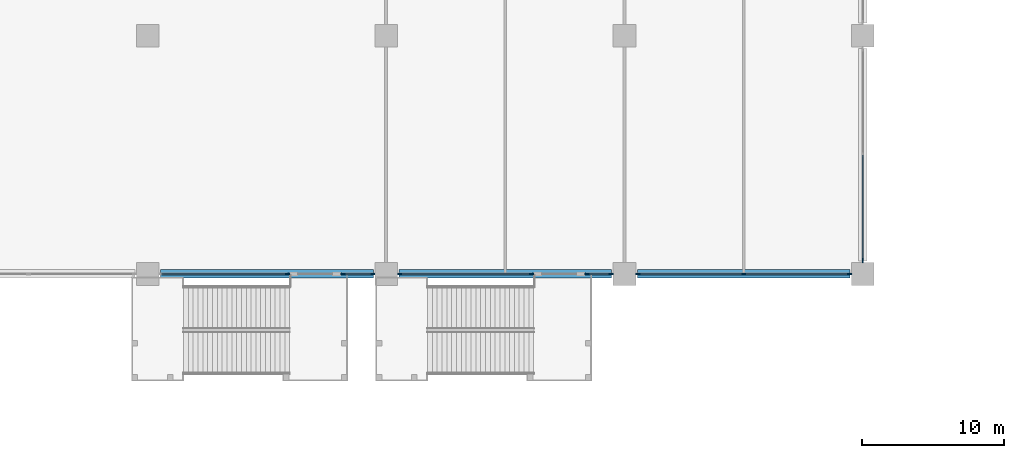
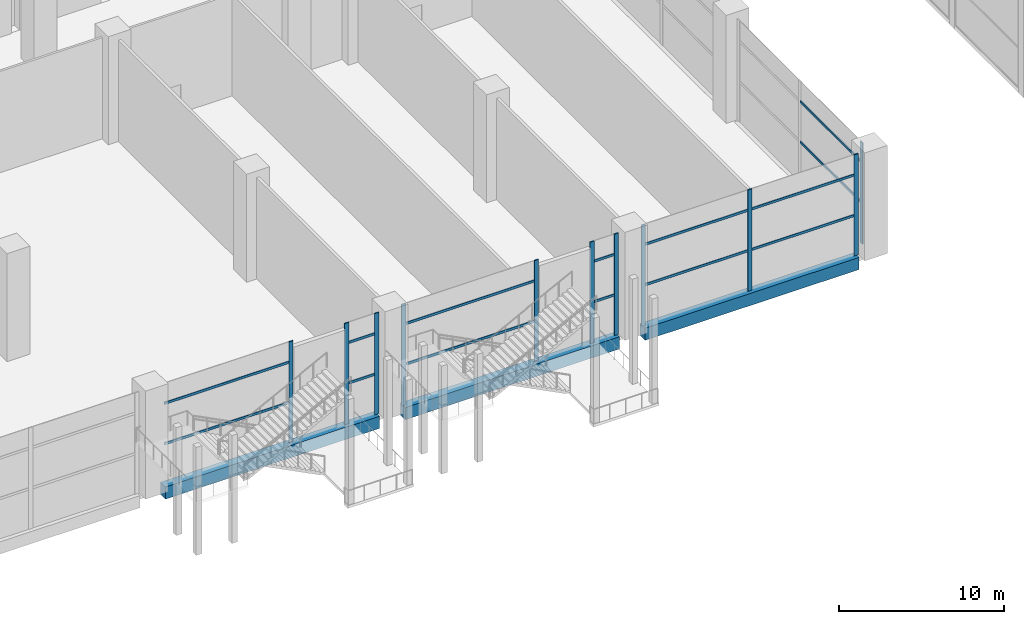
# One storey, part 7 of 52: 25 members, 3 beams, 6 elements without a shape of their own.
"""IFC4 building model written with IfcOpenShell, lengths in metres."""

from ifc_helpers import new_model, si_unit, direction, frame, origin, origin_2d, place, context, subcontext, project, spatial, rectangle, extrude, material, material_profile, profile_set, type_object, element, aggregate, save


model = new_model("IFC4")

# Units and contexts
model_context = context("Model", 3, precision=1e-05, world=origin(), true_north=direction((0.0, 1.0)))
body_context = subcontext(model_context, "Body", "Model", "MODEL_VIEW")
ifc_project = project(units=[si_unit("LENGTHUNIT", "METRE"), si_unit("AREAUNIT", "SQUARE_METRE"), si_unit("VOLUMEUNIT", "CUBIC_METRE"), si_unit("PLANEANGLEUNIT", "RADIAN"), si_unit("MASSUNIT", "GRAM", prefix="KILO")], contexts=[model_context])

# Site, building, storey
site_placement = place(None, origin())
site = spatial("IfcSite", under=ifc_project, at=site_placement, CompositionType="ELEMENT")
building_placement = place(site_placement, origin())
building = spatial("IfcBuilding", under=site, at=building_placement, Name="Candeia Pilgrim Tower and Theatre", CompositionType="ELEMENT")
storey_placement = place(building_placement, frame((0.0, 0.0, 9.0)))
storey = spatial("IfcBuildingStorey", under=building, at=storey_placement, Name="L01", CompositionType="ELEMENT", Elevation=9.0)

# Curtain wall, member
ifc_material_1 = material(Name="Aluminium framed podium glazing", Category="aluminium")
curtain_wall_type = type_object("IfcCurtainWallType", Name="CW-P curtain wall", PredefinedType="NOTDEFINED", material=ifc_material_1)
curtain_wall_1_placement = place(storey_placement, origin())
curtain_wall_1 = element("IfcCurtainWall", 1, at=curtain_wall_1_placement, inside=storey, type_object=curtain_wall_type, Name="Curtain wall CW-P L01.260", PredefinedType="NOTDEFINED")
ifc_material_2 = material(Name="Anodised aluminium", Category="aluminium")
ifc_material_profile_1 = material_profile(ifc_material_2, rectangle(XDim=0.080078125, YDim=0.300048828125, at=origin_2d()))
ifc_profile_set_1 = profile_set([ifc_material_profile_1], Name="Anodised aluminium")
member_type_1 = type_object("IfcMemberType", Name="CW-P mullion 80x300", PredefinedType="MULLION", material=ifc_profile_set_1)
member_1_placement = place(storey_placement, frame((159.60009765625, 65.35009765625, 0.0), z_axis=(0.0, 0.0, 1.0), x_axis=(1.0, 0.0, 0.0)))
member_1 = element("IfcMember", 2, at=member_1_placement, type_object=member_type_1, Name="CW-P mullion 3", PredefinedType="MULLION", context=body_context, shape_type="SweptSolid", body=[
    extrude(rectangle(XDim=0.080078125, YDim=0.300048828125, at=origin_2d()), origin(), (0.0, 0.0, 1.0), 7.5),
])

# Curtain wall, members
curtain_wall_2_placement = place(storey_placement, origin())
curtain_wall_2 = element("IfcCurtainWall", 3, at=curtain_wall_2_placement, inside=storey, type_object=curtain_wall_type, Name="Curtain wall CW-P L01.300", PredefinedType="NOTDEFINED")
member_2_placement = place(storey_placement, frame((158.64990234375, 64.39990234375, 0.0), z_axis=(0.0, 0.0, 1.0), x_axis=(0.0, -1.0, 0.0)))
member_2 = element("IfcMember", 4, at=member_2_placement, type_object=member_type_1, Name="CW-P mullion 1", PredefinedType="MULLION", context=body_context, shape_type="SweptSolid", body=[
    extrude(rectangle(XDim=0.080078125, YDim=0.300048828125, at=origin_2d()), origin(), (0.0, 0.0, 1.0), 7.5),
])
member_3_placement = place(storey_placement, frame((151.199951171875, 64.39990234375, 0.0), z_axis=(0.0, 0.0, 1.0), x_axis=(0.0, -1.0, 0.0)))
member_3 = element("IfcMember", 5, at=member_3_placement, type_object=member_type_1, Name="CW-P mullion 2", PredefinedType="MULLION", context=body_context, shape_type="SweptSolid", body=[
    extrude(rectangle(XDim=0.080078125, YDim=0.300048828125, at=origin_2d()), origin(), (0.0, 0.0, 1.0), 7.5),
])
member_4_placement = place(storey_placement, frame((143.75, 64.39990234375, 0.0), z_axis=(0.0, 0.0, 1.0), x_axis=(0.0, -1.0, 0.0)))
member_4 = element("IfcMember", 6, at=member_4_placement, type_object=member_type_1, Name="CW-P mullion 3", PredefinedType="MULLION", context=body_context, shape_type="SweptSolid", body=[
    extrude(rectangle(XDim=0.080078125, YDim=0.300048828125, at=origin_2d()), origin(), (0.0, 0.0, 1.0), 7.5),
])

curtain_wall_3_placement = place(storey_placement, origin())
curtain_wall_3 = element("IfcCurtainWall", 7, at=curtain_wall_3_placement, inside=storey, type_object=curtain_wall_type, Name="Curtain wall CW-P L01.310", PredefinedType="NOTDEFINED")
member_5_placement = place(storey_placement, frame((141.85009765625, 64.39990234375, 0.0), z_axis=(0.0, 0.0, 1.0), x_axis=(0.0, -1.0, 0.0)))
member_5 = element("IfcMember", 8, at=member_5_placement, type_object=member_type_1, Name="CW-P mullion 1", PredefinedType="MULLION", context=body_context, shape_type="SweptSolid", body=[
    extrude(rectangle(XDim=0.080078125, YDim=0.300048828125, at=origin_2d()), origin(), (0.0, 0.0, 1.0), 7.5),
])
member_6_placement = place(storey_placement, frame((140.14990234375, 64.39990234375, 0.0), z_axis=(0.0, 0.0, 1.0), x_axis=(0.0, -1.0, 0.0)))
member_6 = element("IfcMember", 9, at=member_6_placement, type_object=member_type_1, Name="CW-P mullion 2", PredefinedType="MULLION", context=body_context, shape_type="SweptSolid", body=[
    extrude(rectangle(XDim=0.080078125, YDim=0.300048828125, at=origin_2d()), origin(), (0.0, 0.0, 1.0), 7.5),
])

curtain_wall_4_placement = place(storey_placement, origin())
curtain_wall_4 = element("IfcCurtainWall", 10, at=curtain_wall_4_placement, inside=storey, type_object=curtain_wall_type, Name="Curtain wall CW-P L01.311", PredefinedType="NOTDEFINED")
member_7_placement = place(storey_placement, frame((136.25, 64.39990234375, 0.0), z_axis=(0.0, 0.0, 1.0), x_axis=(0.0, -1.0, 0.0)))
member_7 = element("IfcMember", 11, at=member_7_placement, type_object=member_type_1, Name="CW-P mullion 1", PredefinedType="MULLION", context=body_context, shape_type="SweptSolid", body=[
    extrude(rectangle(XDim=0.080078125, YDim=0.300048828125, at=origin_2d()), origin(), (0.0, 0.0, 1.0), 7.5),
])
member_8_placement = place(storey_placement, frame((126.949951171875, 64.39990234375, 0.0), z_axis=(0.0, 0.0, 1.0), x_axis=(0.0, -1.0, 0.0)))
member_8 = element("IfcMember", 12, at=member_8_placement, type_object=member_type_1, Name="CW-P mullion 2", PredefinedType="MULLION", context=body_context, shape_type="SweptSolid", body=[
    extrude(rectangle(XDim=0.080078125, YDim=0.300048828125, at=origin_2d()), origin(), (0.0, 0.0, 1.0), 7.5),
])

curtain_wall_5_placement = place(storey_placement, origin())
curtain_wall_5 = element("IfcCurtainWall", 13, at=curtain_wall_5_placement, inside=storey, type_object=curtain_wall_type, Name="Curtain wall CW-P L01.320", PredefinedType="NOTDEFINED")
member_9_placement = place(storey_placement, frame((125.050048828125, 64.39990234375, 0.0), z_axis=(0.0, 0.0, 1.0), x_axis=(0.0, -1.0, 0.0)))
member_9 = element("IfcMember", 14, at=member_9_placement, type_object=member_type_1, Name="CW-P mullion 1", PredefinedType="MULLION", context=body_context, shape_type="SweptSolid", body=[
    extrude(rectangle(XDim=0.080078125, YDim=0.300048828125, at=origin_2d()), origin(), (0.0, 0.0, 1.0), 7.5),
])
member_10_placement = place(storey_placement, frame((122.949951171875, 64.39990234375, 0.0), z_axis=(0.0, 0.0, 1.0), x_axis=(0.0, -1.0, 0.0)))
member_10 = element("IfcMember", 15, at=member_10_placement, type_object=member_type_1, Name="CW-P mullion 2", PredefinedType="MULLION", context=body_context, shape_type="SweptSolid", body=[
    extrude(rectangle(XDim=0.080078125, YDim=0.300048828125, at=origin_2d()), origin(), (0.0, 0.0, 1.0), 7.5),
])

# Curtain wall, member
curtain_wall_6_placement = place(storey_placement, origin())
curtain_wall_6 = element("IfcCurtainWall", 16, at=curtain_wall_6_placement, inside=storey, type_object=curtain_wall_type, Name="Curtain wall CW-P L01.321", PredefinedType="NOTDEFINED")
member_11_placement = place(storey_placement, frame((119.050048828125, 64.39990234375, 0.0), z_axis=(0.0, 0.0, 1.0), x_axis=(0.0, -1.0, 0.0)))
member_11 = element("IfcMember", 17, at=member_11_placement, type_object=member_type_1, Name="CW-P mullion 1", PredefinedType="MULLION", context=body_context, shape_type="SweptSolid", body=[
    extrude(rectangle(XDim=0.080078125, YDim=0.300048828125, at=origin_2d()), origin(), (0.0, 0.0, 1.0), 7.5),
])

# Member
ifc_material_profile_2 = material_profile(ifc_material_2, rectangle(XDim=0.080078125, YDim=0.179931640625, at=origin_2d()))
ifc_profile_set_2 = profile_set([ifc_material_profile_2], Name="Anodised aluminium")
member_type_2 = type_object("IfcMemberType", Name="CW-P transom 80x180", PredefinedType="USERDEFINED", material=ifc_profile_set_2)
member_12_placement = place(storey_placement, frame((159.60009765625, 72.760009765625, 3.0), z_axis=(0.0, -1.0, 0.0), x_axis=(1.0, 0.0, 0.0)))
member_12 = element("IfcMember", 18, at=member_12_placement, type_object=member_type_2, Name="CW-P transom 2.1", ObjectType="TRANSOM", PredefinedType="USERDEFINED", context=body_context, shape_type="SweptSolid", body=[
    extrude(rectangle(XDim=0.080078125, YDim=0.179931640625, at=origin_2d()), origin(), (0.0, 0.0, 1.0), 7.3701171875),
])

member_13_placement = place(storey_placement, frame((159.60009765625, 72.760009765625, 6.0), z_axis=(0.0, -1.0, 0.0), x_axis=(1.0, 0.0, 0.0)))
member_13 = element("IfcMember", 19, at=member_13_placement, type_object=member_type_2, Name="CW-P transom 2.2", ObjectType="TRANSOM", PredefinedType="USERDEFINED", context=body_context, shape_type="SweptSolid", body=[
    extrude(rectangle(XDim=0.080078125, YDim=0.179931640625, at=origin_2d()), origin(), (0.0, 0.0, 1.0), 7.3701171875),
])

aggregate(curtain_wall_1, [member_1, member_12, member_13])

member_14_placement = place(storey_placement, frame((158.610107421875, 64.39990234375, 3.0), z_axis=(-1.0, 0.0, 0.0), x_axis=(0.0, -1.0, 0.0)))
member_14 = element("IfcMember", 20, at=member_14_placement, type_object=member_type_2, Name="CW-P transom 1.1", ObjectType="TRANSOM", PredefinedType="USERDEFINED", context=body_context, shape_type="SweptSolid", body=[
    extrude(rectangle(XDim=0.080078125, YDim=0.179931640625, at=origin_2d()), origin(), (0.0, 0.0, 1.0), 7.3701171875),
])

member_15_placement = place(storey_placement, frame((158.610107421875, 64.39990234375, 6.0), z_axis=(-1.0, 0.0, 0.0), x_axis=(0.0, -1.0, 0.0)))
member_15 = element("IfcMember", 21, at=member_15_placement, type_object=member_type_2, Name="CW-P transom 1.2", ObjectType="TRANSOM", PredefinedType="USERDEFINED", context=body_context, shape_type="SweptSolid", body=[
    extrude(rectangle(XDim=0.080078125, YDim=0.179931640625, at=origin_2d()), origin(), (0.0, 0.0, 1.0), 7.3701171875),
])

member_16_placement = place(storey_placement, frame((151.159912109375, 64.39990234375, 3.0), z_axis=(-1.0, 0.0, 0.0), x_axis=(0.0, -1.0, 0.0)))
member_16 = element("IfcMember", 22, at=member_16_placement, type_object=member_type_2, Name="CW-P transom 2.1", ObjectType="TRANSOM", PredefinedType="USERDEFINED", context=body_context, shape_type="SweptSolid", body=[
    extrude(rectangle(XDim=0.080078125, YDim=0.179931640625, at=origin_2d()), origin(), (0.0, 0.0, 1.0), 7.369873046875),
])

member_17_placement = place(storey_placement, frame((151.159912109375, 64.39990234375, 6.0), z_axis=(-1.0, 0.0, 0.0), x_axis=(0.0, -1.0, 0.0)))
member_17 = element("IfcMember", 23, at=member_17_placement, type_object=member_type_2, Name="CW-P transom 2.2", ObjectType="TRANSOM", PredefinedType="USERDEFINED", context=body_context, shape_type="SweptSolid", body=[
    extrude(rectangle(XDim=0.080078125, YDim=0.179931640625, at=origin_2d()), origin(), (0.0, 0.0, 1.0), 7.369873046875),
])

aggregate(curtain_wall_2, [member_2, member_3, member_4, member_14, member_15, member_16, member_17])

member_18_placement = place(storey_placement, frame((141.81005859375, 64.39990234375, 3.0), z_axis=(-1.0, 0.0, 0.0), x_axis=(0.0, -1.0, 0.0)))
member_18 = element("IfcMember", 24, at=member_18_placement, type_object=member_type_2, Name="CW-P transom 1.1", ObjectType="TRANSOM", PredefinedType="USERDEFINED", context=body_context, shape_type="SweptSolid", body=[
    extrude(rectangle(XDim=0.080078125, YDim=0.179931640625, at=origin_2d()), origin(), (0.0, 0.0, 1.0), 1.6201171875),
])

member_19_placement = place(storey_placement, frame((141.81005859375, 64.39990234375, 6.0), z_axis=(-1.0, 0.0, 0.0), x_axis=(0.0, -1.0, 0.0)))
member_19 = element("IfcMember", 25, at=member_19_placement, type_object=member_type_2, Name="CW-P transom 1.2", ObjectType="TRANSOM", PredefinedType="USERDEFINED", context=body_context, shape_type="SweptSolid", body=[
    extrude(rectangle(XDim=0.080078125, YDim=0.179931640625, at=origin_2d()), origin(), (0.0, 0.0, 1.0), 1.6201171875),
])

aggregate(curtain_wall_3, [member_5, member_6, member_18, member_19])

member_20_placement = place(storey_placement, frame((136.2099609375, 64.39990234375, 3.0), z_axis=(-1.0, 0.0, 0.0), x_axis=(0.0, -1.0, 0.0)))
member_20 = element("IfcMember", 26, at=member_20_placement, type_object=member_type_2, Name="CW-P transom 1.1", ObjectType="TRANSOM", PredefinedType="USERDEFINED", context=body_context, shape_type="SweptSolid", body=[
    extrude(rectangle(XDim=0.080078125, YDim=0.179931640625, at=origin_2d()), origin(), (0.0, 0.0, 1.0), 9.219970703125),
])

member_21_placement = place(storey_placement, frame((136.2099609375, 64.39990234375, 6.0), z_axis=(-1.0, 0.0, 0.0), x_axis=(0.0, -1.0, 0.0)))
member_21 = element("IfcMember", 27, at=member_21_placement, type_object=member_type_2, Name="CW-P transom 1.2", ObjectType="TRANSOM", PredefinedType="USERDEFINED", context=body_context, shape_type="SweptSolid", body=[
    extrude(rectangle(XDim=0.080078125, YDim=0.179931640625, at=origin_2d()), origin(), (0.0, 0.0, 1.0), 9.219970703125),
])

aggregate(curtain_wall_4, [member_7, member_8, member_20, member_21])

member_22_placement = place(storey_placement, frame((125.010009765625, 64.39990234375, 3.0), z_axis=(-1.0, 0.0, 0.0), x_axis=(0.0, -1.0, 0.0)))
member_22 = element("IfcMember", 28, at=member_22_placement, type_object=member_type_2, Name="CW-P transom 1.1", ObjectType="TRANSOM", PredefinedType="USERDEFINED", context=body_context, shape_type="SweptSolid", body=[
    extrude(rectangle(XDim=0.080078125, YDim=0.179931640625, at=origin_2d()), origin(), (0.0, 0.0, 1.0), 2.02001953125),
])

member_23_placement = place(storey_placement, frame((125.010009765625, 64.39990234375, 6.0), z_axis=(-1.0, 0.0, 0.0), x_axis=(0.0, -1.0, 0.0)))
member_23 = element("IfcMember", 29, at=member_23_placement, type_object=member_type_2, Name="CW-P transom 1.2", ObjectType="TRANSOM", PredefinedType="USERDEFINED", context=body_context, shape_type="SweptSolid", body=[
    extrude(rectangle(XDim=0.080078125, YDim=0.179931640625, at=origin_2d()), origin(), (0.0, 0.0, 1.0), 2.02001953125),
])

aggregate(curtain_wall_5, [member_9, member_10, member_22, member_23])

member_24_placement = place(storey_placement, frame((119.010009765625, 64.39990234375, 3.0), z_axis=(-1.0, 0.0, 0.0), x_axis=(0.0, -1.0, 0.0)))
member_24 = element("IfcMember", 30, at=member_24_placement, type_object=member_type_2, Name="CW-P transom 1.1", ObjectType="TRANSOM", PredefinedType="USERDEFINED", context=body_context, shape_type="SweptSolid", body=[
    extrude(rectangle(XDim=0.080078125, YDim=0.179931640625, at=origin_2d()), origin(), (0.0, 0.0, 1.0), 8.820068359375),
])

member_25_placement = place(storey_placement, frame((119.010009765625, 64.39990234375, 6.0), z_axis=(-1.0, 0.0, 0.0), x_axis=(0.0, -1.0, 0.0)))
member_25 = element("IfcMember", 31, at=member_25_placement, type_object=member_type_2, Name="CW-P transom 1.2", ObjectType="TRANSOM", PredefinedType="USERDEFINED", context=body_context, shape_type="SweptSolid", body=[
    extrude(rectangle(XDim=0.080078125, YDim=0.179931640625, at=origin_2d()), origin(), (0.0, 0.0, 1.0), 8.820068359375),
])

aggregate(curtain_wall_6, [member_11, member_24, member_25])

# Beams
ifc_material_3 = material(Name="Concrete C80/95", Category="concrete")
ifc_material_profile_3 = material_profile(ifc_material_3, rectangle(XDim=0.60009765625, YDim=0.89990234375, at=origin_2d()))
ifc_profile_set_3 = profile_set([ifc_material_profile_3], Name="Concrete C80/95")
beam_type = type_object("IfcBeamType", Name="RC 600x900 C80/95", PredefinedType="BEAM", material=ifc_profile_set_3)
for number, where, z_axis, x_axis, name in (
    (32, (110.10009765625, 64.39990234375, -0.449951171875), (1.0, 0.0, 0.0), (0.0, 1.0, 0.0), "Spandrel beam L01-26"),
    (33, (126.89990234375, 64.39990234375, -0.449951171875), (1.0, 0.0, 0.0), (0.0, 1.0, 0.0), "Spandrel beam L01-27"),
    (34, (143.699951171875, 64.39990234375, -0.449951171875), (1.0, 0.0, 0.0), (0.0, 1.0, 0.0), "Spandrel beam L01-28"),
):
    element("IfcBeam", number, at=place(storey_placement, frame(where, z_axis=z_axis, x_axis=x_axis)), inside=storey, type_object=beam_type, Name=name, PredefinedType="BEAM", context=body_context, shape_type="SweptSolid", body=[
        extrude(rectangle(XDim=0.60009765625, YDim=0.89990234375, at=origin_2d()), origin(), (0.0, 0.0, 1.0), 15.0),
    ])

save(model, "model.ifc")
